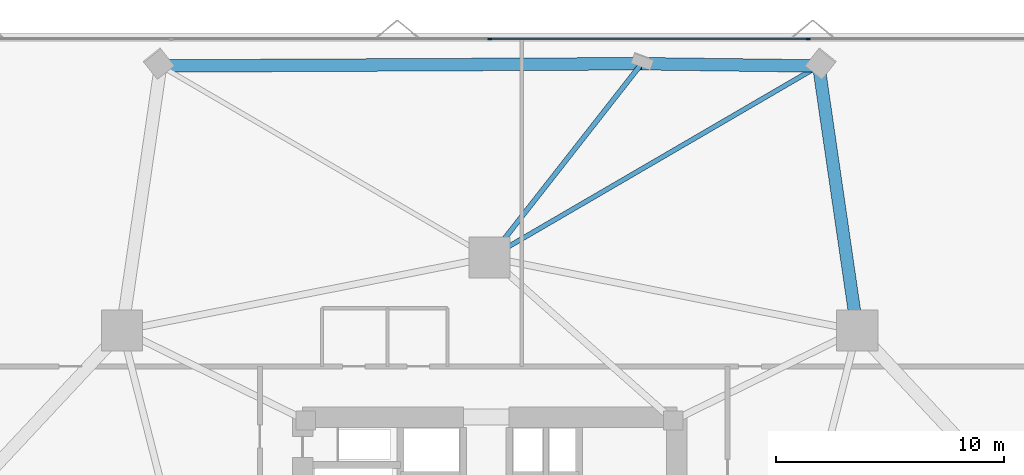
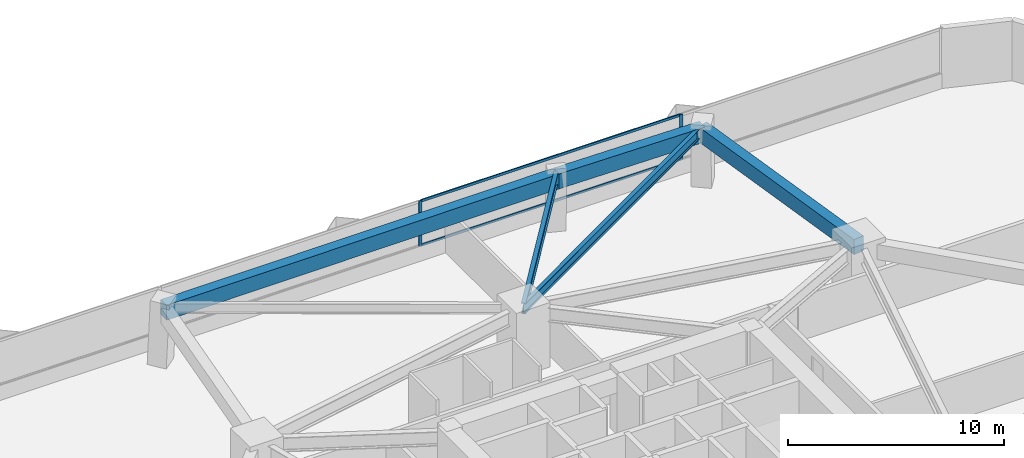
# One storey, part 13 of 20: 5 beams, 4 members, 1 element without a shape of its own.
"""IFC4 building model written with IfcOpenShell, lengths in metres."""

from ifc_helpers import new_model, si_unit, direction, frame, origin, origin_2d, place, context, subcontext, project, spatial, rectangle, i_section, extrude, material, layer, layer_set, material_profile, profile_set, type_object, element, aggregate, save


model = new_model("IFC4")

# Units and contexts
model_context = context("Model", 3, precision=1e-05, world=origin(), true_north=direction((0.0, 1.0)))
body_context = subcontext(model_context, "Body", "Model", "MODEL_VIEW")
ifc_project = project(units=[si_unit("LENGTHUNIT", "METRE"), si_unit("AREAUNIT", "SQUARE_METRE"), si_unit("VOLUMEUNIT", "CUBIC_METRE"), si_unit("PLANEANGLEUNIT", "RADIAN"), si_unit("MASSUNIT", "GRAM", prefix="KILO")], contexts=[model_context])

# Site, building, storey
site_placement = place(None, origin())
site = spatial("IfcSite", under=ifc_project, at=site_placement, CompositionType="ELEMENT")
building_placement = place(site_placement, origin())
building = spatial("IfcBuilding", under=site, at=building_placement, Name="Talyreon Biosciences Tower", CompositionType="ELEMENT")
storey_placement = place(building_placement, frame((0.0, 0.0, 59.300048828125)))
storey = spatial("IfcBuildingStorey", under=building, at=storey_placement, Name="L15", CompositionType="ELEMENT", Elevation=59.300048828125)

# Curtain wall, members
ifc_material_1 = material(Name="Thermally broken aluminium and low-E glazing", Category="aluminium")
ifc_layer = layer(ifc_material_1, 0.195068359375)
ifc_layer_set = layer_set([ifc_layer], Name="Thermally broken aluminium and low-E glazing")
curtain_wall_type = type_object("IfcCurtainWallType", Name="CurtainWall_Zone1WetLab", PredefinedType="NOTDEFINED", material=ifc_layer_set)
curtain_wall_placement = place(storey_placement, origin())
curtain_wall = element("IfcCurtainWall", 1, at=curtain_wall_placement, inside=storey, type_object=curtain_wall_type, Name="L15 Unitised Curtain Wall FCW-L15-04", PredefinedType="NOTDEFINED")
ifc_material_2 = material(Name="Anodised thermally broken aluminium", Category="aluminium")
ifc_material_profile_1 = material_profile(ifc_material_2, rectangle(XDim=0.06494140625, YDim=0.179931640625, at=origin_2d()), Name="ALUM MULLION 65x180")
ifc_profile_set_1 = profile_set([ifc_material_profile_1], Name="Anodised thermally broken aluminium")
member_type_1 = type_object("IfcMemberType", Name="CWMullion_65x180", PredefinedType="MULLION", material=ifc_profile_set_1)
member_1_placement = place(storey_placement, frame((66.0, 91.373779296875, 0.81005859375), z_axis=(0.0, 0.0, 1.0), x_axis=(0.0, 1.0, 0.0)))
member_1 = element("IfcMember", 2, at=member_1_placement, type_object=member_type_1, Name="CW2 mullion 3", PredefinedType="MULLION", context=body_context, shape_type="SweptSolid", body=[
    extrude(rectangle(XDim=0.06494140625, YDim=0.179931640625, at=origin_2d()), origin(), (0.0, 0.0, 1.0), 2.56494140625),
])
member_2_placement = place(storey_placement, frame((79.957763671875, 91.373779296875, 0.81005859375), z_axis=(0.0, 0.0, 1.0), x_axis=(0.0, 1.0, 0.0)))
member_2 = element("IfcMember", 3, at=member_2_placement, type_object=member_type_1, Name="CW2 mullion 4", PredefinedType="MULLION", context=body_context, shape_type="SweptSolid", body=[
    extrude(rectangle(XDim=0.06494140625, YDim=0.179931640625, at=origin_2d()), origin(), (0.0, 0.0, 1.0), 2.56494140625),
])
ifc_material_profile_2 = material_profile(ifc_material_2, rectangle(XDim=0.06494140625, YDim=0.139892578125, at=origin_2d()), Name="ALUM TRANSOM 65x140")
ifc_profile_set_2 = profile_set([ifc_material_profile_2], Name="Anodised thermally broken aluminium")
member_type_2 = type_object("IfcMemberType", Name="CWTransom_65x140", PredefinedType="USERDEFINED", material=ifc_profile_set_2)
member_3_placement = place(storey_placement, frame((66.032470703125, 91.373779296875, 0.842529296875), z_axis=(1.0, 0.0, 0.0), x_axis=(0.0, 1.0, 0.0)))
member_3 = element("IfcMember", 4, at=member_3_placement, type_object=member_type_2, Name="CW2 transom 3.1", ObjectType="TRANSOM", PredefinedType="USERDEFINED", context=body_context, shape_type="SweptSolid", body=[
    extrude(rectangle(XDim=0.06494140625, YDim=0.139892578125, at=origin_2d()), origin(), (0.0, 0.0, 1.0), 13.892822265625),
])
member_4_placement = place(storey_placement, frame((66.032470703125, 91.373779296875, 3.342529296875), z_axis=(1.0, 0.0, 0.0), x_axis=(0.0, 1.0, 0.0)))
member_4 = element("IfcMember", 5, at=member_4_placement, type_object=member_type_2, Name="CW2 transom 3.2", ObjectType="TRANSOM", PredefinedType="USERDEFINED", context=body_context, shape_type="SweptSolid", body=[
    extrude(rectangle(XDim=0.06494140625, YDim=0.139892578125, at=origin_2d()), origin(), (0.0, 0.0, 1.0), 13.892822265625),
])
aggregate(curtain_wall, [member_1, member_2, member_3, member_4])

# Beams
ifc_material_3 = material(Name="Precast concrete C45/55", Category="concrete")
ifc_material_profile_3 = material_profile(ifc_material_3, rectangle(XDim=0.550048828125, YDim=0.85009765625, at=origin_2d()), Name="RCB 550x850")
ifc_profile_set_3 = profile_set([ifc_material_profile_3], Name="Precast concrete C45/55")
beam_type_1 = type_object("IfcBeamType", Name="ExpressedSpandrel_550x850", PredefinedType="SPANDREL", material=ifc_profile_set_3)
beam_1_placement = place(storey_placement, frame((82.102294921875, 78.5986328125, 2.949951171875), z_axis=(-0.143900107824, 0.989592218526, 0.0), x_axis=(-0.989592218526, -0.143900107824, 0.0)))
element("IfcBeam", 6, at=beam_1_placement, inside=storey, type_object=beam_type_1, Name="L15 Expressed Horizontal Concrete Spandrel 05", PredefinedType="SPANDREL", context=body_context, shape_type="SweptSolid", body=[
    extrude(rectangle(XDim=0.550048828125, YDim=0.85009765625, at=origin_2d()), origin(), (0.0, 0.0, 1.0), 11.704833984375),
])
beam_2_placement = place(storey_placement, frame((80.41796875, 90.181640625, 2.949951171875), z_axis=(-0.999917294229, 0.012860975922, 0.0), x_axis=(-0.012860975922, -0.999917294229, 0.0)))
element("IfcBeam", 7, at=beam_2_placement, inside=storey, type_object=beam_type_1, Name="L15 Expressed Horizontal Concrete Spandrel 06", PredefinedType="SPANDREL", context=body_context, shape_type="SweptSolid", body=[
    extrude(rectangle(XDim=0.550048828125, YDim=0.85009765625, at=origin_2d()), origin(), (0.0, 0.0, 1.0), 7.76416015625),
])
beam_3_placement = place(storey_placement, frame((72.654541015625, 90.281494140625, 2.949951171875), z_axis=(-0.999988773177, -0.004738514572, 0.0), x_axis=(0.004738514572, -0.999988773177, 0.0)))
element("IfcBeam", 8, at=beam_3_placement, inside=storey, type_object=beam_type_1, Name="L15 Expressed Horizontal Concrete Spandrel 07", PredefinedType="SPANDREL", context=body_context, shape_type="SweptSolid", body=[
    extrude(rectangle(XDim=0.550048828125, YDim=0.85009765625, at=origin_2d()), origin(), (0.0, 0.0, 1.0), 21.07275390625),
])
ifc_material_4 = material(Name="Steel SM355", Category="steel")
ifc_material_profile_4 = material_profile(ifc_material_4, i_section(OverallWidth=0.2099609375, OverallDepth=0.550048828125, WebThickness=0.010986328125, FlangeThickness=0.01708984375, FilletRadius=0.02392578125, at=origin_2d()), Name="IPE550")
ifc_profile_set_4 = profile_set([ifc_material_profile_4], Name="Steel SM355")
beam_type_2 = type_object("IfcBeamType", Name="SteelJoist_IPE550", PredefinedType="JOIST", material=ifc_profile_set_4)
beam_4_placement = place(storey_placement, frame((66.0, 81.788818359375, 3.099853515625), z_axis=(0.864239252771, 0.503081021277, 0.0), x_axis=(-0.503081021277, 0.864239252771, 0.0)))
element("IfcBeam", 9, at=beam_4_placement, inside=storey, type_object=beam_type_2, Name="L15 Radial Composite Floor Joist PC-N1", PredefinedType="JOIST", context=body_context, shape_type="SweptSolid", body=[
    extrude(i_section(OverallWidth=0.2099609375, OverallDepth=0.550048828125, WebThickness=0.010986328125, FlangeThickness=0.01708984375, FilletRadius=0.02392578125, at=origin_2d()), origin(), (0.0, 0.0, 1.0), 16.682861328125),
])
ifc_material_profile_5 = material_profile(ifc_material_4, i_section(OverallWidth=0.219970703125, OverallDepth=0.60009765625, WebThickness=0.011962890625, FlangeThickness=0.01904296875, FilletRadius=0.02392578125, at=origin_2d()), Name="IPE600")
ifc_profile_set_5 = profile_set([ifc_material_profile_5], Name="Steel SM355")
beam_type_3 = type_object("IfcBeamType", Name="SteelJoist_IPE600", PredefinedType="JOIST", material=ifc_profile_set_5)
beam_5_placement = place(storey_placement, frame((66.0, 81.788818359375, 3.074951171875), z_axis=(0.616773687673, 0.787140532684, 0.0), x_axis=(-0.787140532684, 0.616773687673, 0.0)))
element("IfcBeam", 10, at=beam_5_placement, inside=storey, type_object=beam_type_3, Name="L15 Radial Composite Floor Joist PL-N", PredefinedType="JOIST", context=body_context, shape_type="SweptSolid", body=[
    extrude(i_section(OverallWidth=0.219970703125, OverallDepth=0.60009765625, WebThickness=0.011962890625, FlangeThickness=0.01904296875, FilletRadius=0.02392578125, at=origin_2d()), origin(), (0.0, 0.0, 1.0), 10.789306640625),
])

save(model, "model.ifc")
